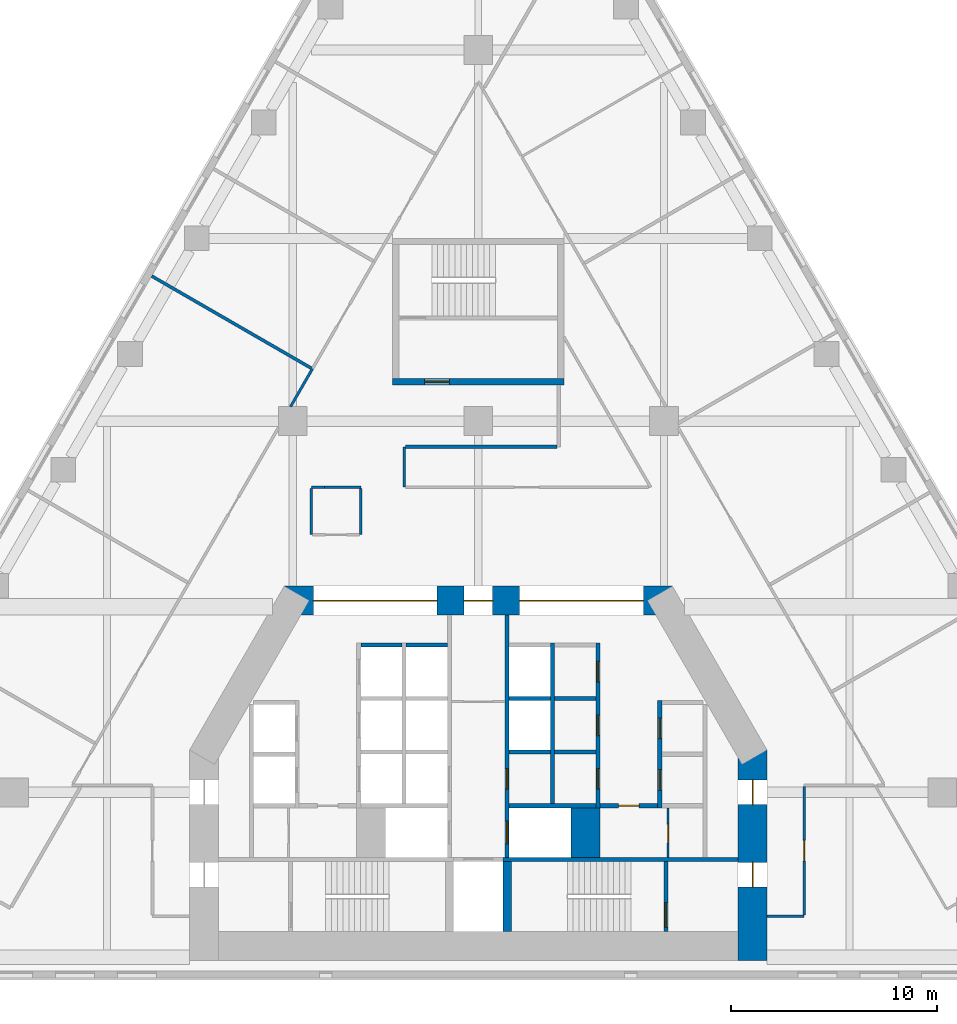
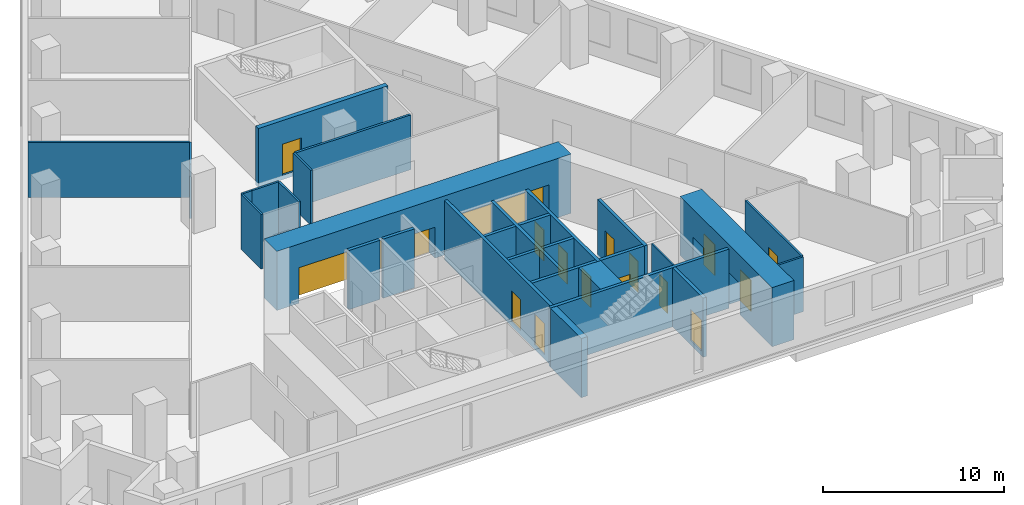
# One storey, part 5 of 9: 30 walls, 17 doors, 17 openings.
"""IFC4 building model written with IfcOpenShell, lengths in metres."""

from ifc_helpers import new_model, si_unit, direction, frame, frame_2d, origin, place, context, subcontext, project, spatial, rectangle, extrude, material, layer, layer_set, type_object, element, fill, save


model = new_model("IFC4")

# Units and contexts
model_context = context("Model", 3, precision=1e-05, world=origin(), true_north=direction((0.0, 1.0)))
body_context = subcontext(model_context, "Body", "Model", "MODEL_VIEW")
ifc_project = project(units=[si_unit("LENGTHUNIT", "METRE"), si_unit("AREAUNIT", "SQUARE_METRE"), si_unit("VOLUMEUNIT", "CUBIC_METRE"), si_unit("PLANEANGLEUNIT", "RADIAN"), si_unit("MASSUNIT", "GRAM", prefix="KILO")], contexts=[model_context])

# Site, building, storey
site_placement = place(None, origin())
site = spatial("IfcSite", under=ifc_project, at=site_placement, CompositionType="ELEMENT")
building_placement = place(site_placement, origin())
building = spatial("IfcBuilding", under=site, at=building_placement, Name="Fogline Exchange Tower", CompositionType="ELEMENT")
storey_placement = place(building_placement, frame((0.0, 0.0, 64.89990234375)))
storey = spatial("IfcBuildingStorey", under=building, at=storey_placement, Name="L13", CompositionType="ELEMENT", Elevation=64.89990234375)

# Wall, opening, door
ifc_material_1 = material(Name="Blockwork partition", Category="masonry")
ifc_layer_1 = layer(ifc_material_1, 0.10009765625)
ifc_layer_set_1 = layer_set([ifc_layer_1], Name="CW10")
wall_type_1 = type_object("IfcWallType", Name="CW10", PredefinedType="PARTITIONING", material=ifc_layer_set_1)
wall_1_placement = place(storey_placement, frame((9.199951171875, 5.85009765625, 0.0), z_axis=(0.0, 0.0, 1.0), x_axis=(0.0, 1.0, 0.0)))
wall_1 = element("IfcWall", 1, at=wall_1_placement, inside=storey, type_object=wall_type_1, Name="WC partition", PredefinedType="PARTITIONING", context=body_context, shape_type="SweptSolid", body=[
    extrude(rectangle(XDim=2.39990234375, YDim=0.10009765625, at=frame_2d((1.199951171875, 0.0))), origin(), (0.0, 0.0, 1.0), 3.7001953125),
])
opening_1_placement = place(wall_1_placement, frame((0.699951171875, 0.0, 0.0)))
opening_1 = element("IfcOpeningElement", 2, at=opening_1_placement, cuts=wall_1, Name="Opening T04-C013", PredefinedType="OPENING", context=body_context, shape_type="SweptSolid", body=[
    extrude(rectangle(XDim=0.89990234375, YDim=2.10009765625, at=frame_2d((0.449951171875, 1.050048828125))), frame((0.0, 0.06005859375, 0.0), z_axis=(0.0, -1.0, 0.0), x_axis=(1.0, 0.0, 0.0)), (0.0, 0.0, 1.0), 0.1201171875),
])
ifc_material_2 = material(Name="Steel and timber fire door", Category="steel")
door_type_1 = type_object("IfcDoorType", Name="D-CS1", OperationType="SINGLE_SWING_RIGHT", PredefinedType="DOOR", material=ifc_material_2)
door_1_placement = place(opening_1_placement, frame((0.89990234375, 0.0, 0.0), z_axis=(0.0, 0.0, 1.0), x_axis=(-1.0, 0.0, 0.0)))
door_1 = element("IfcDoor", 3, at=door_1_placement, inside=storey, type_object=door_type_1, Name="Door to Cleaner's Store", OperationType="SINGLE_SWING_RIGHT", OverallHeight=2.10009765625, OverallWidth=0.89990234375, PredefinedType="DOOR", context=body_context, shape_type="SweptSolid", body=[
    extrude(rectangle(XDim=0.89990234375, YDim=2.10009765625, at=frame_2d((0.449951171875, 1.050048828125))), frame((0.0, 0.02490234375, 0.0), z_axis=(0.0, -1.0, 0.0), x_axis=(1.0, 0.0, 0.0)), (0.0, 0.0, 1.0), 0.050048828125),
])
fill(opening_1, door_1)

# Wall
ifc_material_3 = material(Name="Concrete C60", Category="concrete")
ifc_layer_2 = layer(ifc_material_3, 1.39990234375)
ifc_layer_set_2 = layer_set([ifc_layer_2], Name="CW140")
wall_type_2 = type_object("IfcWallType", Name="CW140", PredefinedType="SOLIDWALL", material=ifc_layer_set_2)
wall_2_placement = place(storey_placement, frame((5.199951171875, 5.85009765625, -0.2998046875), z_axis=(0.0, 0.0, 1.0), x_axis=(0.0, 1.0, 0.0)))
element("IfcWall", 4, at=wall_2_placement, inside=storey, type_object=wall_type_2, Name="Lift shaft block wall", PredefinedType="SOLIDWALL", context=body_context, shape_type="SweptSolid", body=[
    extrude(rectangle(XDim=2.39990234375, YDim=1.39990234375, at=frame_2d((1.199951171875, 0.0))), origin(), (0.0, 0.0, 1.0), 4.0),
])

# Wall, opening, door
ifc_material_4 = material(Name="Concrete C40", Category="concrete")
ifc_layer_3 = layer(ifc_material_4, 0.199951171875)
ifc_layer_set_3 = layer_set([ifc_layer_3], Name="CW20")
wall_type_3 = type_object("IfcWallType", Name="CW20", PredefinedType="SOLIDWALL", material=ifc_layer_set_3)
wall_3_placement = place(storey_placement, frame((5.89990234375, 8.35009765625, 0.0), z_axis=(0.0, 0.0, 1.0), x_axis=(1.0, 0.0, 0.0)))
wall_3 = element("IfcWall", 5, at=wall_3_placement, inside=storey, type_object=wall_type_3, Name="WC wall", PredefinedType="SOLIDWALL", context=body_context, shape_type="SweptSolid", body=[
    extrude(rectangle(XDim=2.800048828125, YDim=0.199951171875, at=frame_2d((1.39990234375, 0.0))), origin(), (0.0, 0.0, 1.0), 3.7001953125),
])
opening_2_placement = place(wall_3_placement, frame((0.89990234375, 0.0, 0.0)))
opening_2 = element("IfcOpeningElement", 6, at=opening_2_placement, cuts=wall_3, Name="Opening T04-C012", PredefinedType="OPENING", context=body_context, shape_type="SweptSolid", body=[
    extrude(rectangle(XDim=1.0, YDim=2.10009765625, at=frame_2d((0.5, 1.050048828125))), frame((0.0, 0.10986328125, 0.0), z_axis=(0.0, -1.0, 0.0), x_axis=(1.0, 0.0, 0.0)), (0.0, 0.0, 1.0), 0.219970703125),
])
door_type_2 = type_object("IfcDoorType", Name="D-WC1", OperationType="SINGLE_SWING_LEFT", PredefinedType="DOOR", material=ifc_material_2)
door_2_placement = place(opening_2_placement, frame((1.0, 0.0, 0.0), z_axis=(0.0, 0.0, 1.0), x_axis=(-1.0, 0.0, 0.0)))
door_2 = element("IfcDoor", 7, at=door_2_placement, inside=storey, type_object=door_type_2, Name="Door to Women's WC", OperationType="SINGLE_SWING_LEFT", OverallHeight=2.10009765625, OverallWidth=1.0, PredefinedType="DOOR", context=body_context, shape_type="SweptSolid", body=[
    extrude(rectangle(XDim=1.0, YDim=2.10009765625, at=frame_2d((0.5, 1.050048828125))), frame((0.0, 0.02490234375, 0.0), z_axis=(0.0, -1.0, 0.0), x_axis=(1.0, 0.0, 0.0)), (0.0, 0.0, 1.0), 0.050048828125),
])
fill(opening_2, door_2)

# Wall
ifc_layer_4 = layer(ifc_material_4, 0.199951171875)
ifc_layer_set_4 = layer_set([ifc_layer_4], Name="CW20R")
wall_type_4 = type_object("IfcWallType", Name="CW20R", PredefinedType="SOLIDWALL", material=ifc_layer_set_4)
wall_4_placement = place(storey_placement, frame((1.199951171875, 5.75, -0.2998046875), z_axis=(0.0, 0.0, 1.0), x_axis=(1.0, 0.0, 0.0)))
element("IfcWall", 8, at=wall_4_placement, inside=storey, type_object=wall_type_4, Name="Stair enclosure wall", PredefinedType="SOLIDWALL", context=body_context, shape_type="SweptSolid", body=[
    extrude(rectangle(XDim=11.400146484375, YDim=0.199951171875, at=frame_2d((5.7001953125, 0.0))), origin(), (0.0, 0.0, 1.0), 4.0),
])

# Wall, opening, door
wall_5_placement = place(storey_placement, frame((9.10009765625, 2.25, -0.2998046875), z_axis=(0.0, 0.0, 1.0), x_axis=(0.0, 1.0, 0.0)))
wall_5 = element("IfcWall", 9, at=wall_5_placement, inside=storey, type_object=wall_type_4, Name="Stair enclosure wall", PredefinedType="SOLIDWALL", context=body_context, shape_type="SweptSolid", body=[
    extrude(rectangle(XDim=3.39990234375, YDim=0.199951171875, at=frame_2d((1.699951171875, 0.0))), origin(), (0.0, 0.0, 1.0), 4.0),
])
opening_3_placement = place(wall_5_placement, frame((0.199951171875, 0.0, 0.300048828125)))
opening_3 = element("IfcOpeningElement", 10, at=opening_3_placement, cuts=wall_5, Name="Opening T04-C015", PredefinedType="OPENING", context=body_context, shape_type="SweptSolid", body=[
    extrude(rectangle(XDim=1.199951171875, YDim=2.10009765625, at=frame_2d((0.60009765625, 1.050048828125))), frame((0.0, 0.10986328125, 0.0), z_axis=(0.0, -1.0, 0.0), x_axis=(1.0, 0.0, 0.0)), (0.0, 0.0, 1.0), 0.219970703125),
])
door_type_3 = type_object("IfcDoorType", Name="D-ST1", OperationType="SINGLE_SWING_LEFT", PredefinedType="DOOR", material=ifc_material_2)
door_3_placement = place(opening_3_placement, origin())
door_3 = element("IfcDoor", 11, at=door_3_placement, inside=storey, type_object=door_type_3, Name="Stair door ST2", OperationType="SINGLE_SWING_LEFT", OverallHeight=2.10009765625, OverallWidth=1.199951171875, PredefinedType="DOOR", context=body_context, shape_type="SweptSolid", body=[
    extrude(rectangle(XDim=1.199951171875, YDim=2.10009765625, at=frame_2d((0.60009765625, 1.050048828125))), frame((0.0, 0.02490234375, 0.0), z_axis=(0.0, -1.0, 0.0), x_axis=(1.0, 0.0, 0.0)), (0.0, 0.0, 1.0), 0.050048828125),
])
fill(opening_3, door_3)

# Wall, openings, doors
ifc_layer_5 = layer(ifc_material_4, 0.199951171875)
ifc_layer_set_5 = layer_set([ifc_layer_5], Name="CW20S")
wall_type_5 = type_object("IfcWallType", Name="CW20S", PredefinedType="SOLIDWALL", material=ifc_layer_set_5)
wall_6_placement = place(storey_placement, frame((8.800048828125, 8.25, -0.2998046875), z_axis=(0.0, 0.0, 1.0), x_axis=(0.0, 1.0, 0.0)))
wall_6 = element("IfcWall", 12, at=wall_6_placement, inside=storey, type_object=wall_type_5, Name="Lift shaft wall", PredefinedType="SOLIDWALL", context=body_context, shape_type="SweptSolid", body=[
    extrude(rectangle(XDim=5.199951171875, YDim=0.199951171875, at=frame_2d((2.60009765625, 0.0))), origin(), (0.0, 0.0, 1.0), 4.0),
])
opening_4_placement = place(wall_6_placement, frame((0.85009765625, 0.0, 0.300048828125)))
opening_4 = element("IfcOpeningElement", 13, at=opening_4_placement, cuts=wall_6, Name="Opening T04-C001", PredefinedType="OPENING", context=body_context, shape_type="SweptSolid", body=[
    extrude(rectangle(XDim=1.0, YDim=2.10009765625, at=frame_2d((0.5, 1.050048828125))), frame((0.0, 0.10986328125, 0.0), z_axis=(0.0, -1.0, 0.0), x_axis=(1.0, 0.0, 0.0)), (0.0, 0.0, 1.0), 0.219970703125),
])
opening_5_placement = place(wall_6_placement, frame((3.35009765625, 0.0, 0.300048828125)))
opening_5 = element("IfcOpeningElement", 14, at=opening_5_placement, cuts=wall_6, Name="Opening T04-C002", PredefinedType="OPENING", context=body_context, shape_type="SweptSolid", body=[
    extrude(rectangle(XDim=1.0, YDim=2.10009765625, at=frame_2d((0.5, 1.050048828125))), frame((0.0, 0.10986328125, 0.0), z_axis=(0.0, -1.0, 0.0), x_axis=(1.0, 0.0, 0.0)), (0.0, 0.0, 1.0), 0.219970703125),
])
door_type_4 = type_object("IfcDoorType", Name="D-RM1", OperationType="SINGLE_SWING_LEFT", PredefinedType="DOOR", material=ifc_material_2)
door_4_placement = place(opening_4_placement, frame((1.0, 0.0, 0.0), z_axis=(0.0, 0.0, 1.0), x_axis=(-1.0, 0.0, 0.0)))
door_4 = element("IfcDoor", 15, at=door_4_placement, inside=storey, type_object=door_type_4, Name="Door to Stationery Store", OperationType="SINGLE_SWING_LEFT", OverallHeight=2.10009765625, OverallWidth=1.0, PredefinedType="DOOR", context=body_context, shape_type="SweptSolid", body=[
    extrude(rectangle(XDim=1.0, YDim=2.10009765625, at=frame_2d((0.5, 1.050048828125))), frame((0.0, 0.02490234375, 0.0), z_axis=(0.0, -1.0, 0.0), x_axis=(1.0, 0.0, 0.0)), (0.0, 0.0, 1.0), 0.050048828125),
])
fill(opening_4, door_4)
door_5_placement = place(opening_5_placement, frame((1.0, 0.0, 0.0), z_axis=(0.0, 0.0, 1.0), x_axis=(-1.0, 0.0, 0.0)))
door_5 = element("IfcDoor", 16, at=door_5_placement, inside=storey, type_object=door_type_4, Name="Door to Records Store", OperationType="SINGLE_SWING_LEFT", OverallHeight=2.10009765625, OverallWidth=1.0, PredefinedType="DOOR", context=body_context, shape_type="SweptSolid", body=[
    extrude(rectangle(XDim=1.0, YDim=2.10009765625, at=frame_2d((0.5, 1.050048828125))), frame((0.0, 0.02490234375, 0.0), z_axis=(0.0, -1.0, 0.0), x_axis=(1.0, 0.0, 0.0)), (0.0, 0.0, 1.0), 0.050048828125),
])
fill(opening_5, door_5)

wall_7_placement = place(storey_placement, frame((5.800048828125, 8.25, -0.2998046875), z_axis=(0.0, 0.0, 1.0), x_axis=(0.0, 1.0, 0.0)))
wall_7 = element("IfcWall", 17, at=wall_7_placement, inside=storey, type_object=wall_type_5, Name="Lift shaft wall", PredefinedType="SOLIDWALL", context=body_context, shape_type="SweptSolid", body=[
    extrude(rectangle(XDim=8.0, YDim=0.199951171875, at=frame_2d((4.0, 0.0))), origin(), (0.0, 0.0, 1.0), 4.0),
])
opening_6_placement = place(wall_7_placement, frame((0.89990234375, 0.0, 0.300048828125)))
opening_6 = element("IfcOpeningElement", 18, at=opening_6_placement, cuts=wall_7, Name="Opening T04-C003", PredefinedType="OPENING", context=body_context, shape_type="SweptSolid", body=[
    extrude(rectangle(XDim=1.0, YDim=2.10009765625, at=frame_2d((0.5, 1.050048828125))), frame((0.0, 0.10986328125, 0.0), z_axis=(0.0, -1.0, 0.0), x_axis=(1.0, 0.0, 0.0)), (0.0, 0.0, 1.0), 0.219970703125),
])
opening_7_placement = place(wall_7_placement, frame((3.5, 0.0, 0.300048828125)))
opening_7 = element("IfcOpeningElement", 19, at=opening_7_placement, cuts=wall_7, Name="Opening T04-C004", PredefinedType="OPENING", context=body_context, shape_type="SweptSolid", body=[
    extrude(rectangle(XDim=1.0, YDim=2.10009765625, at=frame_2d((0.5, 1.050048828125))), frame((0.0, 0.10986328125, 0.0), z_axis=(0.0, -1.0, 0.0), x_axis=(1.0, 0.0, 0.0)), (0.0, 0.0, 1.0), 0.219970703125),
])
opening_8_placement = place(wall_7_placement, frame((6.10009765625, 0.0, 0.300048828125)))
opening_8 = element("IfcOpeningElement", 20, at=opening_8_placement, cuts=wall_7, Name="Opening T04-C005", PredefinedType="OPENING", context=body_context, shape_type="SweptSolid", body=[
    extrude(rectangle(XDim=1.0, YDim=2.10009765625, at=frame_2d((0.5, 1.050048828125))), frame((0.0, 0.10986328125, 0.0), z_axis=(0.0, -1.0, 0.0), x_axis=(1.0, 0.0, 0.0)), (0.0, 0.0, 1.0), 0.219970703125),
])
door_6_placement = place(opening_6_placement, origin())
door_6 = element("IfcDoor", 21, at=door_6_placement, inside=storey, type_object=door_type_4, Name="Door to Riser Room", OperationType="SINGLE_SWING_RIGHT", OverallHeight=2.10009765625, OverallWidth=1.0, PredefinedType="DOOR", context=body_context, shape_type="SweptSolid", body=[
    extrude(rectangle(XDim=1.0, YDim=2.10009765625, at=frame_2d((0.5, 1.050048828125))), frame((0.0, 0.02490234375, 0.0), z_axis=(0.0, -1.0, 0.0), x_axis=(1.0, 0.0, 0.0)), (0.0, 0.0, 1.0), 0.050048828125),
])
fill(opening_6, door_6)
door_7_placement = place(opening_7_placement, origin())
door_7 = element("IfcDoor", 22, at=door_7_placement, inside=storey, type_object=door_type_4, Name="Door to Plant Room", OperationType="SINGLE_SWING_LEFT", OverallHeight=2.10009765625, OverallWidth=1.0, PredefinedType="DOOR", context=body_context, shape_type="SweptSolid", body=[
    extrude(rectangle(XDim=1.0, YDim=2.10009765625, at=frame_2d((0.5, 1.050048828125))), frame((0.0, 0.02490234375, 0.0), z_axis=(0.0, -1.0, 0.0), x_axis=(1.0, 0.0, 0.0)), (0.0, 0.0, 1.0), 0.050048828125),
])
fill(opening_7, door_7)
door_8_placement = place(opening_8_placement, origin())
door_8 = element("IfcDoor", 23, at=door_8_placement, inside=storey, type_object=door_type_4, Name="Door to Cable Store", OperationType="SINGLE_SWING_LEFT", OverallHeight=2.10009765625, OverallWidth=1.0, PredefinedType="DOOR", context=body_context, shape_type="SweptSolid", body=[
    extrude(rectangle(XDim=1.0, YDim=2.10009765625, at=frame_2d((0.5, 1.050048828125))), frame((0.0, 0.02490234375, 0.0), z_axis=(0.0, -1.0, 0.0), x_axis=(1.0, 0.0, 0.0)), (0.0, 0.0, 1.0), 0.050048828125),
])
fill(opening_8, door_8)

# Wall
wall_8_placement = place(storey_placement, frame((3.60009765625, 8.449951171875, -0.2998046875), z_axis=(0.0, 0.0, 1.0), x_axis=(0.0, 1.0, 0.0)))
element("IfcWall", 24, at=wall_8_placement, inside=storey, type_object=wall_type_5, Name="Lift shaft wall", PredefinedType="SOLIDWALL", context=body_context, shape_type="SweptSolid", body=[
    extrude(rectangle(XDim=7.800048828125, YDim=0.199951171875, at=frame_2d((3.89990234375, 0.0))), origin(), (0.0, 0.0, 1.0), 4.0),
])

# Wall, openings, doors
wall_9_placement = place(storey_placement, frame((1.39990234375, 5.85009765625, -0.2998046875), z_axis=(0.0, 0.0, 1.0), x_axis=(0.0, 1.0, 0.0)))
wall_9 = element("IfcWall", 25, at=wall_9_placement, inside=storey, type_object=wall_type_5, Name="Lift lobby wall", PredefinedType="SOLIDWALL", context=body_context, shape_type="SweptSolid", body=[
    extrude(rectangle(XDim=11.75, YDim=0.199951171875, at=frame_2d((5.875, 0.0))), origin(), (0.0, 0.0, 1.0), 4.0),
])
opening_9_placement = place(wall_9_placement, frame((0.64990234375, 0.0, 0.300048828125)))
opening_9 = element("IfcOpeningElement", 26, at=opening_9_placement, cuts=wall_9, Name="Opening T04-LD08", PredefinedType="OPENING", context=body_context, shape_type="SweptSolid", body=[
    extrude(rectangle(XDim=1.10009765625, YDim=2.10009765625, at=frame_2d((0.550048828125, 1.050048828125))), frame((0.0, 0.10986328125, 0.0), z_axis=(0.0, -1.0, 0.0), x_axis=(1.0, 0.0, 0.0)), (0.0, 0.0, 1.0), 0.219970703125),
])
opening_10_placement = place(wall_9_placement, frame((3.300048828125, 0.0, 0.300048828125)))
opening_10 = element("IfcOpeningElement", 27, at=opening_10_placement, cuts=wall_9, Name="Opening T04-C006", PredefinedType="OPENING", context=body_context, shape_type="SweptSolid", body=[
    extrude(rectangle(XDim=1.0, YDim=2.10009765625, at=frame_2d((0.5, 1.050048828125))), frame((0.0, 0.10986328125, 0.0), z_axis=(0.0, -1.0, 0.0), x_axis=(1.0, 0.0, 0.0)), (0.0, 0.0, 1.0), 0.219970703125),
])
door_9_placement = place(opening_10_placement, frame((1.0, 0.0, 0.0), z_axis=(0.0, 0.0, 1.0), x_axis=(-1.0, 0.0, 0.0)))
door_9 = element("IfcDoor", 28, at=door_9_placement, inside=storey, type_object=door_type_4, Name="Door to Server Room", OperationType="SINGLE_SWING_RIGHT", OverallHeight=2.10009765625, OverallWidth=1.0, PredefinedType="DOOR", context=body_context, shape_type="SweptSolid", body=[
    extrude(rectangle(XDim=1.0, YDim=2.10009765625, at=frame_2d((0.5, 1.050048828125))), frame((0.0, 0.02490234375, 0.0), z_axis=(0.0, -1.0, 0.0), x_axis=(1.0, 0.0, 0.0)), (0.0, 0.0, 1.0), 0.050048828125),
])
fill(opening_10, door_9)
door_type_5 = type_object("IfcDoorType", Name="LD2", OperationType="SLIDING_TO_RIGHT", PredefinedType="DOOR", material=ifc_material_2)
door_10_placement = place(opening_9_placement, origin())
door_10 = element("IfcDoor", 29, at=door_10_placement, inside=storey, type_object=door_type_5, Name="Landing door FF2", OperationType="SLIDING_TO_RIGHT", OverallHeight=2.10009765625, OverallWidth=1.10009765625, PredefinedType="DOOR", context=body_context, shape_type="SweptSolid", body=[
    extrude(rectangle(XDim=1.10009765625, YDim=2.10009765625, at=frame_2d((0.550048828125, 1.050048828125))), frame((0.0, 0.02490234375, 0.0), z_axis=(0.0, -1.0, 0.0), x_axis=(1.0, 0.0, 0.0)), (0.0, 0.0, 1.0), 0.050048828125),
])
fill(opening_9, door_10)

# Walls
wall_10_placement = place(storey_placement, frame((1.5, 8.35009765625, -0.2998046875), z_axis=(0.0, 0.0, 1.0), x_axis=(1.0, 0.0, 0.0)))
element("IfcWall", 30, at=wall_10_placement, inside=storey, type_object=wall_type_5, Name="Lift shaft wall", PredefinedType="SOLIDWALL", context=body_context, shape_type="SweptSolid", body=[
    extrude(rectangle(XDim=4.199951171875, YDim=0.199951171875, at=frame_2d((2.10009765625, 0.0))), origin(), (0.0, 0.0, 1.0), 4.0),
])
for number, where, z_axis, x_axis, name in (
    (31, (-5.699951171875, 16.14990234375, -0.2998046875), (0.0, 0.0, 1.0), (1.0, 0.0, 0.0), "Lift shaft wall"),
    (32, (-3.5, 16.14990234375, -0.2998046875), (0.0, 0.0, 1.0), (1.0, 0.0, 0.0), "Lift shaft wall"),
    (33, (3.699951171875, 10.949951171875, -0.2998046875), (0.0, 0.0, 1.0), (1.0, 0.0, 0.0), "Lift shaft wall"),
    (34, (3.699951171875, 13.550048828125, -0.2998046875), (0.0, 0.0, 1.0), (1.0, 0.0, 0.0), "Lift shaft wall"),
    (35, (1.5, 10.949951171875, -0.2998046875), (0.0, 0.0, 1.0), (1.0, 0.0, 0.0), "Lift shaft wall"),
    (36, (1.5, 13.550048828125, -0.2998046875), (0.0, 0.0, 1.0), (1.0, 0.0, 0.0), "Lift shaft wall"),
):
    element("IfcWall", number, at=place(storey_placement, frame(where, z_axis=z_axis, x_axis=x_axis)), inside=storey, type_object=wall_type_5, Name=name, PredefinedType="SOLIDWALL", context=body_context, shape_type="SweptSolid", body=[
        extrude(rectangle(XDim=2.0, YDim=0.199951171875, at=frame_2d((1.0, 0.0))), origin(), (0.0, 0.0, 1.0), 4.0),
    ])

# Wall, opening, door
ifc_layer_6 = layer(ifc_material_4, 0.300048828125)
ifc_layer_set_6 = layer_set([ifc_layer_6], Name="CW30")
wall_type_6 = type_object("IfcWallType", Name="CW30", PredefinedType="SOLIDWALL", material=ifc_layer_set_6)
wall_11_placement = place(storey_placement, frame((-4.14990234375, 28.906982421875, -0.2998046875), z_axis=(0.0, 0.0, 1.0), x_axis=(1.0, 0.0, 0.0)))
wall_11 = element("IfcWall", 37, at=wall_11_placement, inside=storey, type_object=wall_type_6, Name="Stair enclosure wall ST3", PredefinedType="SOLIDWALL", context=body_context, shape_type="SweptSolid", body=[
    extrude(rectangle(XDim=8.2998046875, YDim=0.300048828125, at=frame_2d((4.14990234375, 0.0))), origin(), (0.0, 0.0, 1.0), 4.0),
])
opening_11_placement = place(wall_11_placement, frame((1.550048828125, 0.0, 0.300048828125)))
opening_11 = element("IfcOpeningElement", 38, at=opening_11_placement, cuts=wall_11, Name="Opening T04-C021", PredefinedType="OPENING", context=body_context, shape_type="SweptSolid", body=[
    extrude(rectangle(XDim=1.199951171875, YDim=2.10009765625, at=frame_2d((0.60009765625, 1.050048828125))), frame((0.0, 0.16015625, 0.0), z_axis=(0.0, -1.0, 0.0), x_axis=(1.0, 0.0, 0.0)), (0.0, 0.0, 1.0), 0.320068359375),
])
door_type_6 = type_object("IfcDoorType", Name="D-FR1", OperationType="SINGLE_SWING_RIGHT", PredefinedType="DOOR", material=ifc_material_2)
door_11_placement = place(opening_11_placement, origin())
door_11 = element("IfcDoor", 39, at=door_11_placement, inside=storey, type_object=door_type_6, Name="Front room door ST3", OperationType="SINGLE_SWING_LEFT", OverallHeight=2.10009765625, OverallWidth=1.199951171875, PredefinedType="DOOR", context=body_context, shape_type="SweptSolid", body=[
    extrude(rectangle(XDim=1.199951171875, YDim=2.10009765625, at=frame_2d((0.60009765625, 1.050048828125))), frame((0.0, 0.02490234375, 0.0), z_axis=(0.0, -1.0, 0.0), x_axis=(1.0, 0.0, 0.0)), (0.0, 0.0, 1.0), 0.050048828125),
])
fill(opening_11, door_11)

# Wall
ifc_layer_7 = layer(ifc_material_4, 0.39990234375)
ifc_layer_set_7 = layer_set([ifc_layer_7], Name="CW40R")
wall_type_7 = type_object("IfcWallType", Name="CW40R", PredefinedType="SOLIDWALL", material=ifc_layer_set_7)
wall_12_placement = place(storey_placement, frame((1.39990234375, 2.25, -0.2998046875), z_axis=(0.0, 0.0, 1.0), x_axis=(0.0, 1.0, 0.0)))
element("IfcWall", 40, at=wall_12_placement, inside=storey, type_object=wall_type_7, Name="Stair and lift shaft wall", PredefinedType="SOLIDWALL", context=body_context, shape_type="SweptSolid", body=[
    extrude(rectangle(XDim=3.39990234375, YDim=0.39990234375, at=frame_2d((1.699951171875, 0.0))), origin(), (0.0, 0.0, 1.0), 4.0),
])

# Wall, opening, door
ifc_material_5 = material(Name="Plasterboard corridor partition with mineral wool, 2 layers each side")
ifc_layer_8 = layer(ifc_material_5, 0.125)
ifc_layer_set_8 = layer_set([ifc_layer_8], Name="PW2")
wall_type_8 = type_object("IfcWallType", Name="PW2", PredefinedType="PARTITIONING", material=ifc_layer_set_8)
wall_13_placement = place(storey_placement, frame((15.800048828125, 9.277587890625, 0.0), z_axis=(0.0, 0.0, 1.0), x_axis=(0.0, -1.0, 0.0)))
wall_13 = element("IfcWall", 41, at=wall_13_placement, inside=storey, type_object=wall_type_8, Name="wall-L13-W001", PredefinedType="PARTITIONING", context=body_context, shape_type="SweptSolid", body=[
    extrude(rectangle(XDim=6.215087890625, YDim=0.125, at=frame_2d((3.107421875, 0.0))), origin(), (0.0, 0.0, 1.0), 3.7001953125),
])
opening_12_placement = place(wall_13_placement, frame((2.607421875, 0.0, 0.0)))
opening_12 = element("IfcOpeningElement", 42, at=opening_12_placement, cuts=wall_13, Name="Opening T04-D001", PredefinedType="OPENING", context=body_context, shape_type="SweptSolid", body=[
    extrude(rectangle(XDim=1.0, YDim=2.10009765625, at=frame_2d((0.5, 1.050048828125))), frame((0.0, 0.072509765625, 0.0), z_axis=(0.0, -1.0, 0.0), x_axis=(1.0, 0.0, 0.0)), (0.0, 0.0, 1.0), 0.14501953125),
])
ifc_material_6 = material(Name="Fire-rated timber door leaf with steel frame", Category="steel")
door_type_7 = type_object("IfcDoorType", Name="D3", OperationType="SINGLE_SWING_LEFT", PredefinedType="DOOR", material=ifc_material_6)
door_12_placement = place(opening_12_placement, origin())
door_12 = element("IfcDoor", 43, at=door_12_placement, inside=storey, type_object=door_type_7, Name="door-L13-D001", OperationType="SINGLE_SWING_LEFT", OverallHeight=2.10009765625, OverallWidth=1.0, PredefinedType="DOOR", context=body_context, shape_type="SweptSolid", body=[
    extrude(rectangle(XDim=1.0, YDim=2.10009765625, at=frame_2d((0.5, 1.050048828125))), frame((0.0, 0.02490234375, 0.0), z_axis=(0.0, -1.0, 0.0), x_axis=(1.0, 0.0, 0.0)), (0.0, 0.0, 1.0), 0.050048828125),
])
fill(opening_12, door_12)

# Walls
wall_14_placement = place(storey_placement, frame((15.800048828125, 3.0, 0.0), z_axis=(0.0, 0.0, 1.0), x_axis=(-1.0, 0.0, 0.0)))
element("IfcWall", 44, at=wall_14_placement, inside=storey, type_object=wall_type_8, Name="wall-L13-W002", PredefinedType="PARTITIONING", context=body_context, shape_type="SweptSolid", body=[
    extrude(rectangle(XDim=1.800048828125, YDim=0.125, at=frame_2d((0.89990234375, 0.0))), origin(), (0.0, 0.0, 1.0), 3.7001953125),
])
for number, where, z_axis, x_axis, name in (
    (45, (-8.10009765625, 23.737548828125, 0.0), (0.0, 0.0, 1.0), (0.0, -1.0, 0.0), "wall-L13-W004"),
    (46, (-5.699951171875, 21.5, 0.0), (0.0, 0.0, 1.0), (0.0, 1.0, 0.0), "wall-L13-W006"),
):
    element("IfcWall", number, at=place(storey_placement, frame(where, z_axis=z_axis, x_axis=x_axis)), inside=storey, type_object=wall_type_8, Name=name, PredefinedType="PARTITIONING", context=body_context, shape_type="SweptSolid", body=[
        extrude(rectangle(XDim=2.237548828125, YDim=0.125, at=frame_2d((1.11865234375, 0.0))), origin(), (0.0, 0.0, 1.0), 3.7001953125),
    ])
wall_15_placement = place(storey_placement, frame((-9.10546875, 27.699951171875, 0.0), z_axis=(0.0, 0.0, 1.0), x_axis=(0.500037910135, 0.866003515251, 0.0)))
element("IfcWall", 47, at=wall_15_placement, inside=storey, type_object=wall_type_8, Name="wall-L13-W019", PredefinedType="PARTITIONING", context=body_context, shape_type="SweptSolid", body=[
    extrude(rectangle(XDim=2.121337890625, YDim=0.125, at=frame_2d((1.060546875, 0.0))), origin(), (0.0, 0.0, 1.0), 3.7001953125),
])
wall_16_placement = place(storey_placement, frame((-7.447998046875, 23.800048828125, 0.0), z_axis=(0.0, 0.0, 1.0), x_axis=(-1.0, 0.0, 0.0)))
element("IfcWall", 48, at=wall_16_placement, inside=storey, type_object=wall_type_8, Name="wall-L13-W020", PredefinedType="PARTITIONING", context=body_context, shape_type="SweptSolid", body=[
    extrude(rectangle(XDim=0.652099609375, YDim=0.125, at=frame_2d((0.326171875, 0.0))), origin(), (0.0, 0.0, 1.0), 3.7001953125),
])
wall_17_placement = place(storey_placement, frame((-3.60009765625, 25.757080078125, 0.0), z_axis=(0.0, 0.0, 1.0), x_axis=(0.0, -1.0, 0.0)))
element("IfcWall", 49, at=wall_17_placement, inside=storey, type_object=wall_type_8, Name="wall-L13-W031", PredefinedType="PARTITIONING", context=body_context, shape_type="SweptSolid", body=[
    extrude(rectangle(XDim=1.95703125, YDim=0.125, at=frame_2d((0.978515625, 0.0))), origin(), (0.0, 0.0, 1.0), 3.7001953125),
])
wall_18_placement = place(storey_placement, frame((-5.699951171875, 23.800048828125, 0.0), z_axis=(0.0, 0.0, 1.0), x_axis=(-1.0, 0.0, 0.0)))
element("IfcWall", 50, at=wall_18_placement, inside=storey, type_object=wall_type_8, Name="wall-L13-W032", PredefinedType="PARTITIONING", context=body_context, shape_type="SweptSolid", body=[
    extrude(rectangle(XDim=1.748046875, YDim=0.125, at=frame_2d((0.8740234375, 0.0))), origin(), (0.0, 0.0, 1.0), 3.7001953125),
])
ifc_material_7 = material(Name="Plasterboard demising partition with mineral wool and acoustic board")
ifc_layer_9 = layer(ifc_material_7, 0.14990234375)
ifc_layer_set_9 = layer_set([ifc_layer_9], Name="PW3")
wall_type_9 = type_object("IfcWallType", Name="PW3", PredefinedType="PARTITIONING", material=ifc_layer_set_9)
wall_19_placement = place(storey_placement, frame((-8.098876953125, 29.568359375, 0.0), z_axis=(0.0, 0.0, 1.0), x_axis=(-0.866022276127, 0.500005417223, 0.0)))
element("IfcWall", 51, at=wall_19_placement, inside=storey, type_object=wall_type_9, Name="wall-L13-W042", PredefinedType="PARTITIONING", context=body_context, shape_type="SweptSolid", body=[
    extrude(rectangle(XDim=8.9375, YDim=0.14990234375, at=frame_2d((4.46875, 0.0))), origin(), (0.0, 0.0, 1.0), 3.7001953125),
])
ifc_material_8 = material(Name="Plasterboard stair lobby partition, 3 layers each side on steel studs", Category="steel")
ifc_layer_10 = layer(ifc_material_8, 0.14990234375)
ifc_layer_set_10 = layer_set([ifc_layer_10], Name="PW4")
wall_type_10 = type_object("IfcWallType", Name="PW4", PredefinedType="PARTITIONING", material=ifc_layer_set_10)
wall_20_placement = place(storey_placement, frame((3.824951171875, 25.757080078125, 0.0), z_axis=(0.0, 0.0, 1.0), x_axis=(-1.0, 0.0, 0.0)))
element("IfcWall", 52, at=wall_20_placement, inside=storey, type_object=wall_type_10, Name="wall-L13-W030", PredefinedType="PARTITIONING", context=body_context, shape_type="SweptSolid", body=[
    extrude(rectangle(XDim=7.362548828125, YDim=0.14990234375, at=frame_2d((3.68115234375, 0.0))), origin(), (0.0, 0.0, 1.0), 3.7001953125),
])

# Wall, openings, doors
ifc_layer_11 = layer(ifc_material_3, 1.39990234375)
ifc_layer_set_11 = layer_set([ifc_layer_11], Name="SW01")
wall_type_11 = type_object("IfcWallType", Name="SW01", PredefinedType="SHEAR", material=ifc_layer_set_11)
wall_21_placement = place(storey_placement, frame((13.300048828125, 0.85009765625, 0.0), z_axis=(0.0, 0.0, 1.0), x_axis=(0.0, 1.0, 0.0)))
wall_21 = element("IfcWall", 53, at=wall_21_placement, inside=storey, type_object=wall_type_11, Name="L13-W902", PredefinedType="SHEAR", context=body_context, shape_type="SweptSolid", body=[
    extrude(rectangle(XDim=10.202392578125, YDim=1.39990234375, at=frame_2d((5.10107421875, 0.0))), origin(), (0.0, 0.0, 1.0), 4.0),
])
opening_13_placement = place(wall_21_placement, frame((3.550048828125, 0.0, 0.0)))
opening_13 = element("IfcOpeningElement", 54, at=opening_13_placement, cuts=wall_21, Name="Opening T04-C014", PredefinedType="OPENING", context=body_context, shape_type="SweptSolid", body=[
    extrude(rectangle(XDim=1.199951171875, YDim=2.10009765625, at=frame_2d((0.60009765625, 1.050048828125))), frame((0.0, 0.7099609375, 0.0), z_axis=(0.0, -1.0, 0.0), x_axis=(1.0, 0.0, 0.0)), (0.0, 0.0, 1.0), 1.419921875),
])
opening_14_placement = place(wall_21_placement, frame((7.550048828125, 0.0, 0.0)))
opening_14 = element("IfcOpeningElement", 55, at=opening_14_placement, cuts=wall_21, Name="Opening T04-C016", PredefinedType="OPENING", context=body_context, shape_type="SweptSolid", body=[
    extrude(rectangle(XDim=1.199951171875, YDim=2.10009765625, at=frame_2d((0.60009765625, 1.050048828125))), frame((0.0, 0.7099609375, 0.0), z_axis=(0.0, -1.0, 0.0), x_axis=(1.0, 0.0, 0.0)), (0.0, 0.0, 1.0), 1.419921875),
])
door_13_placement = place(opening_13_placement, origin())
door_13 = element("IfcDoor", 56, at=door_13_placement, inside=storey, type_object=door_type_6, Name="Front room door ST2", OperationType="SINGLE_SWING_RIGHT", OverallHeight=2.10009765625, OverallWidth=1.199951171875, PredefinedType="DOOR", context=body_context, shape_type="SweptSolid", body=[
    extrude(rectangle(XDim=1.199951171875, YDim=2.10009765625, at=frame_2d((0.60009765625, 1.050048828125))), frame((0.0, 0.02490234375, 0.0), z_axis=(0.0, -1.0, 0.0), x_axis=(1.0, 0.0, 0.0)), (0.0, 0.0, 1.0), 0.050048828125),
])
fill(opening_13, door_13)
door_type_8 = type_object("IfcDoorType", Name="D-SV1", OperationType="SINGLE_SWING_LEFT", PredefinedType="DOOR", material=ifc_material_2)
door_14_placement = place(opening_14_placement, origin())
door_14 = element("IfcDoor", 57, at=door_14_placement, inside=storey, type_object=door_type_8, Name="Service door E", OperationType="SINGLE_SWING_RIGHT", OverallHeight=2.10009765625, OverallWidth=1.199951171875, PredefinedType="DOOR", context=body_context, shape_type="SweptSolid", body=[
    extrude(rectangle(XDim=1.199951171875, YDim=2.10009765625, at=frame_2d((0.60009765625, 1.050048828125))), frame((0.0, 0.02490234375, 0.0), z_axis=(0.0, -1.0, 0.0), x_axis=(1.0, 0.0, 0.0)), (0.0, 0.0, 1.0), 0.050048828125),
])
fill(opening_14, door_14)

wall_22_placement = place(storey_placement, frame((9.41162109375, 18.300048828125, 0.0), z_axis=(0.0, 0.0, 1.0), x_axis=(-1.0, 0.0, 0.0)))
wall_22 = element("IfcWall", 58, at=wall_22_placement, inside=storey, type_object=wall_type_11, Name="L13-W904", PredefinedType="SHEAR", context=body_context, shape_type="SweptSolid", body=[
    extrude(rectangle(XDim=18.8232421875, YDim=1.39990234375, at=frame_2d((9.41162109375, 0.0))), origin(), (0.0, 0.0, 1.0), 4.0),
])
opening_15_placement = place(wall_22_placement, frame((8.71142578125, 0.0, 0.0)))
opening_15 = element("IfcOpeningElement", 59, at=opening_15_placement, cuts=wall_22, Name="Opening T04-C018", PredefinedType="OPENING", context=body_context, shape_type="SweptSolid", body=[
    extrude(rectangle(XDim=1.39990234375, YDim=2.10009765625, at=frame_2d((0.699951171875, 1.050048828125))), frame((0.0, 0.7099609375, 0.0), z_axis=(0.0, -1.0, 0.0), x_axis=(1.0, 0.0, 0.0)), (0.0, 0.0, 1.0), 1.419921875),
])
opening_16_placement = place(wall_22_placement, frame((11.41162109375, 0.0, 0.0)))
opening_16 = element("IfcOpeningElement", 60, at=opening_16_placement, cuts=wall_22, Name="Opening T04-C019", PredefinedType="OPENING", context=body_context, shape_type="SweptSolid", body=[
    extrude(rectangle(XDim=6.0, YDim=2.39990234375, at=frame_2d((3.0, 1.199951171875))), frame((0.0, 0.7099609375, 0.0), z_axis=(0.0, -1.0, 0.0), x_axis=(1.0, 0.0, 0.0)), (0.0, 0.0, 1.0), 1.419921875),
])
opening_17_placement = place(wall_22_placement, frame((1.41162109375, 0.0, 0.0)))
opening_17 = element("IfcOpeningElement", 61, at=opening_17_placement, cuts=wall_22, Name="Opening T04-C020", PredefinedType="OPENING", context=body_context, shape_type="SweptSolid", body=[
    extrude(rectangle(XDim=6.0, YDim=2.39990234375, at=frame_2d((3.0, 1.199951171875))), frame((0.0, 0.7099609375, 0.0), z_axis=(0.0, -1.0, 0.0), x_axis=(1.0, 0.0, 0.0)), (0.0, 0.0, 1.0), 1.419921875),
])
door_type_9 = type_object("IfcDoorType", Name="D-LB1", OperationType="DOUBLE_DOOR_SINGLE_SWING", PredefinedType="DOOR", material=ifc_material_2)
door_15_placement = place(opening_15_placement, origin())
door_15 = element("IfcDoor", 62, at=door_15_placement, inside=storey, type_object=door_type_9, Name="Protected lobby door", OperationType="DOUBLE_DOOR_SINGLE_SWING", OverallHeight=2.10009765625, OverallWidth=1.39990234375, PredefinedType="DOOR", context=body_context, shape_type="SweptSolid", body=[
    extrude(rectangle(XDim=1.39990234375, YDim=2.10009765625, at=frame_2d((0.699951171875, 1.050048828125))), frame((0.0, 0.02490234375, 0.0), z_axis=(0.0, -1.0, 0.0), x_axis=(1.0, 0.0, 0.0)), (0.0, 0.0, 1.0), 0.050048828125),
])
fill(opening_15, door_15)
door_type_10 = type_object("IfcDoorType", Name="D-LE1", OperationType="DOUBLE_DOOR_SLIDING", PredefinedType="DOOR", material=ifc_material_2)
door_16_placement = place(opening_16_placement, origin())
door_16 = element("IfcDoor", 63, at=door_16_placement, inside=storey, type_object=door_type_10, Name="Lift lobby entrance west", OperationType="DOUBLE_DOOR_SLIDING", OverallHeight=2.39990234375, OverallWidth=6.0, PredefinedType="DOOR", context=body_context, shape_type="SweptSolid", body=[
    extrude(rectangle(XDim=6.0, YDim=2.39990234375, at=frame_2d((3.0, 1.199951171875))), frame((0.0, 0.02490234375, 0.0), z_axis=(0.0, -1.0, 0.0), x_axis=(1.0, 0.0, 0.0)), (0.0, 0.0, 1.0), 0.050048828125),
])
fill(opening_16, door_16)
door_17_placement = place(opening_17_placement, origin())
door_17 = element("IfcDoor", 64, at=door_17_placement, inside=storey, type_object=door_type_10, Name="Lift lobby entrance east", OperationType="DOUBLE_DOOR_SLIDING", OverallHeight=2.39990234375, OverallWidth=6.0, PredefinedType="DOOR", context=body_context, shape_type="SweptSolid", body=[
    extrude(rectangle(XDim=6.0, YDim=2.39990234375, at=frame_2d((3.0, 1.199951171875))), frame((0.0, 0.02490234375, 0.0), z_axis=(0.0, -1.0, 0.0), x_axis=(1.0, 0.0, 0.0)), (0.0, 0.0, 1.0), 0.050048828125),
])
fill(opening_17, door_17)

save(model, "model.ifc")
